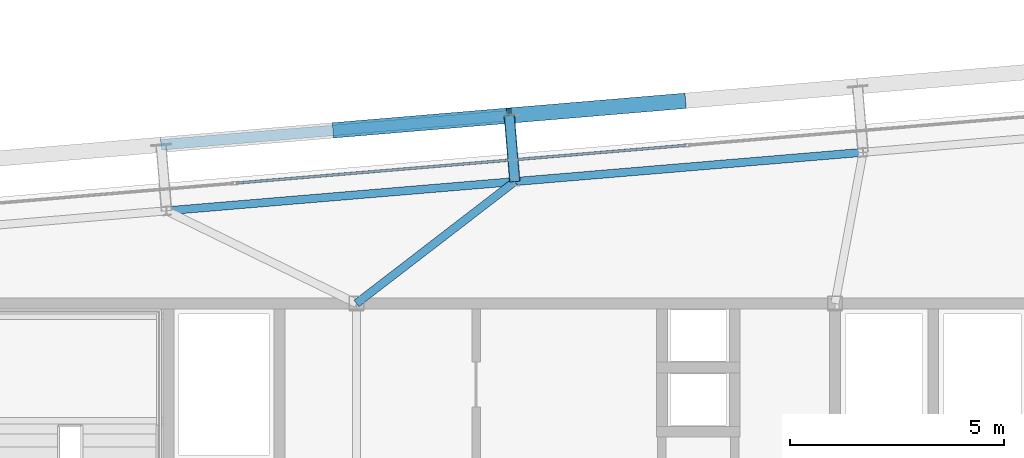
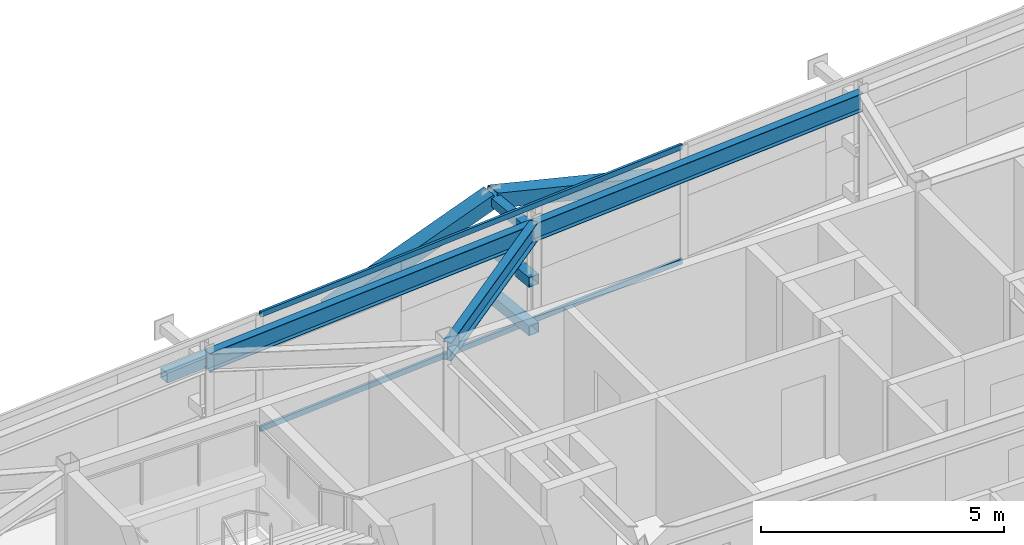
# One storey, part 22 of 37: 8 members, 3 beams, 1 element without a shape of its own.
"""IFC4 building model written with IfcOpenShell, lengths in metres."""

from ifc_helpers import new_model, si_unit, direction, frame, origin, origin_2d, place, context, subcontext, project, spatial, hollow_rectangle, i_section, extrude, source, transform, mapped, material, layer, layer_set, material_profile, profile_set, type_object, element, aggregate, save


model = new_model("IFC4")

# Units and contexts
model_context = context("Model", 3, precision=1e-05, world=origin(), true_north=direction((0.0, 1.0)))
body_context = subcontext(model_context, "Body", "Model", "MODEL_VIEW")
ifc_project = project(units=[si_unit("LENGTHUNIT", "METRE"), si_unit("AREAUNIT", "SQUARE_METRE"), si_unit("VOLUMEUNIT", "CUBIC_METRE"), si_unit("PLANEANGLEUNIT", "RADIAN"), si_unit("MASSUNIT", "GRAM", prefix="KILO")], contexts=[model_context])

# Site, building, storey
site_placement = place(None, origin())
site = spatial("IfcSite", under=ifc_project, at=site_placement, CompositionType="ELEMENT")
building_placement = place(site_placement, origin())
building = spatial("IfcBuilding", under=site, at=building_placement, Name="Taldren Reach Tower", CompositionType="ELEMENT")
storey_placement = place(building_placement, frame((0.0, 0.0, 182.0)))
storey = spatial("IfcBuildingStorey", under=building, at=storey_placement, Name="L55", CompositionType="ELEMENT", Elevation=182.0)

# Members
ifc_material_1 = material(Name="Steel Gr 350 (C350L0)", Category="steel")
ifc_material_profile_1 = material_profile(ifc_material_1, hollow_rectangle(XDim=0.25, YDim=0.25, WallThickness=0.010009765625, at=origin_2d()), Name="250x250x10.0SHS")
ifc_profile_set_1 = profile_set([ifc_material_profile_1], Name="Steel Gr 350 (C350L0)")
member_type_1 = type_object("IfcMemberType", Name="MB-POST250", PredefinedType="POST", material=ifc_profile_set_1)
shared_shape_1 = source(origin(), body_context, "Body", "SweptSolid", [
    extrude(hollow_rectangle(XDim=0.25, YDim=0.25, WallThickness=0.010009765625, at=origin_2d()), origin(), (0.0, 0.0, 1.0), 1.5498046875),
])
for number, where, z_axis, x_axis, name in (
    (1, (31.706298828125, 34.8525390625, 0.219970703125), (-0.083645141657, 0.996495604746, 0.0), (-0.996495604746, -0.083645141657, 0.0), "Exoskeleton base diaphragm tie strut B4-N3 L55"),
    (2, (31.706298828125, 34.8525390625, 1.43505859375), (-0.083645141657, 0.996495604746, 0.0), (-0.996495604746, -0.083645141657, 0.0), "Exoskeleton mid-tier diaphragm tie B4-N3 L55"),
):
    element("IfcMember", number, at=place(storey_placement, frame(where, z_axis=z_axis, x_axis=x_axis)), inside=storey, type_object=member_type_1, Name=name, PredefinedType="POST", context=body_context, shape_type="MappedRepresentation", body=[
        mapped(shared_shape_1, transform((0.0, 0.0, 0.0), scale=1.0)),
    ])

# Beams
ifc_material_2 = material(Name="Steel Gr 350 (350PLUS)", Category="steel")
ifc_material_profile_2 = material_profile(ifc_material_2, i_section(OverallWidth=0.18994140625, OverallDepth=0.4541015625, WebThickness=0.008544921875, FlangeThickness=0.0126953125, at=origin_2d()), Name="460UB67.1")
ifc_profile_set_2 = profile_set([ifc_material_profile_2], Name="Steel Gr 350 (350PLUS)")
beam_type_1 = type_object("IfcBeamType", Name="SP-UB460B", PredefinedType="SPANDREL", material=ifc_profile_set_2)
shared_shape_2 = source(origin(), body_context, "Body", "SweptSolid", [
    extrude(i_section(OverallWidth=0.18994140625, OverallDepth=0.4541015625, WebThickness=0.008544921875, FlangeThickness=0.0126953125, at=origin_2d()), origin(), (0.0, 0.0, 1.0), 8.18017578125),
])
beam_1_placement = place(storey_placement, frame((39.857666015625, 35.537109375, 2.702880859375), z_axis=(-0.996492034688, -0.083687662192, 0.0), x_axis=(0.083687662192, -0.996492034688, 0.0)))
element("IfcBeam", 3, at=beam_1_placement, inside=storey, type_object=beam_type_1, Name="Perimeter spandrel B4 N4-N3 L55", PredefinedType="SPANDREL", context=body_context, shape_type="MappedRepresentation", body=[
    mapped(shared_shape_2, transform((0.0, 0.0, 0.0), scale=1.0)),
])
shared_shape_3 = source(origin(), body_context, "Body", "SweptSolid", [
    extrude(i_section(OverallWidth=0.18994140625, OverallDepth=0.4541015625, WebThickness=0.008544921875, FlangeThickness=0.0126953125, at=origin_2d()), origin(), (0.0, 0.0, 1.0), 8.179931640625),
])
beam_2_placement = place(storey_placement, frame((31.706298828125, 34.8525390625, 2.702880859375), z_axis=(-0.99649182565, -0.08369015123, 0.0), x_axis=(0.08369015123, -0.99649182565, 0.0)))
element("IfcBeam", 4, at=beam_2_placement, inside=storey, type_object=beam_type_1, Name="Perimeter spandrel B4 N3-N2 L55", PredefinedType="SPANDREL", context=body_context, shape_type="MappedRepresentation", body=[
    mapped(shared_shape_3, transform((0.0, 0.0, 0.0), scale=1.0)),
])
ifc_material_profile_3 = material_profile(ifc_material_2, i_section(OverallWidth=0.19091796875, OverallDepth=0.4599609375, WebThickness=0.010009765625, FlangeThickness=0.01611328125, at=origin_2d()), Name="460UB82.1")
ifc_profile_set_3 = profile_set([ifc_material_profile_3], Name="Steel Gr 350 (350PLUS)")
beam_type_2 = type_object("IfcBeamType", Name="BM-UB460A", PredefinedType="BEAM", material=ifc_profile_set_3)
shared_shape_4 = source(origin(), body_context, "Body", "SweptSolid", [
    extrude(i_section(OverallWidth=0.19091796875, OverallDepth=0.4599609375, WebThickness=0.010009765625, FlangeThickness=0.01611328125, at=origin_2d()), origin(), (0.0, 0.0, 1.0), 4.677001953125),
])
beam_3_placement = place(storey_placement, frame((28.0, 32.0, 2.699951171875), z_axis=(0.792464836093, 0.609917603907, 0.0), x_axis=(-0.609917603907, 0.792464836093, 0.0)))
element("IfcBeam", 5, at=beam_3_placement, inside=storey, type_object=beam_type_2, Name="Primary floor girder B4-N3 L55", PredefinedType="BEAM", context=body_context, shape_type="MappedRepresentation", body=[
    mapped(shared_shape_4, transform((0.0, 0.0, 0.0), scale=1.0)),
])

# Members
ifc_material_3 = material(Name="Steel Gr 450 (C450L0)", Category="steel")
ifc_material_profile_4 = material_profile(ifc_material_3, hollow_rectangle(XDim=0.219970703125, YDim=0.219970703125, WallThickness=0.00830078125, at=origin_2d()), Name="220x220x8.2SHS")
ifc_profile_set_4 = profile_set([ifc_material_profile_4], Name="Steel Gr 450 (C450L0)")
member_type_2 = type_object("IfcMemberType", Name="MB-TIE219", PredefinedType="STRUT", material=ifc_profile_set_4)
shared_shape_5 = source(origin(), body_context, "Body", "SweptSolid", [
    extrude(hollow_rectangle(XDim=0.219970703125, YDim=0.219970703125, WallThickness=0.00830078125, at=origin_2d()), origin(), (0.0, 0.0, 1.0), 1.5498046875),
])
member_1_placement = place(storey_placement, frame((31.706298828125, 34.8525390625, 2.64990234375), z_axis=(-0.083645141657, 0.996495604746, 0.0), x_axis=(-0.996495604746, -0.083645141657, 0.0)))
element("IfcMember", 6, at=member_1_placement, inside=storey, type_object=member_type_2, Name="Exoskeleton diaphragm tie strut B4-N3 L55", PredefinedType="STRUT", context=body_context, shape_type="MappedRepresentation", body=[
    mapped(shared_shape_5, transform((0.0, 0.0, 0.0), scale=1.0)),
])
shared_shape_6 = source(origin(), body_context, "Body", "SweptSolid", [
    extrude(hollow_rectangle(XDim=0.25, YDim=0.25, WallThickness=0.010009765625, at=origin_2d()), origin(), (0.0, 0.0, 1.0), 8.179931640625),
])
member_2_placement = place(storey_placement, frame((23.42529296875, 35.712646484375, 1.43505859375), z_axis=(0.996494523218, 0.083658025296, 0.0), x_axis=(-0.083658025296, 0.996494523218, 0.0)))
element("IfcMember", 7, at=member_2_placement, inside=storey, type_object=member_type_1, Name="Exoskeleton mid-height ring chord B4-N2 L55", PredefinedType="POST", context=body_context, shape_type="MappedRepresentation", body=[
    mapped(shared_shape_6, transform((0.0, 0.0, 0.0), scale=1.0)),
])
ifc_material_profile_5 = material_profile(ifc_material_3, hollow_rectangle(XDim=0.360107421875, YDim=0.360107421875, WallThickness=0.0126953125, at=origin_2d()), Name="360x360x12.7SHS")
ifc_profile_set_5 = profile_set([ifc_material_profile_5], Name="Steel Gr 450 (C450L0)")
member_type_3 = type_object("IfcMemberType", Name="MB-EXO356", PredefinedType="BRACE", material=ifc_profile_set_5)
shared_shape_7 = source(origin(), body_context, "Body", "SweptSolid", [
    extrude(hollow_rectangle(XDim=0.360107421875, YDim=0.360107421875, WallThickness=0.0126953125, at=origin_2d()), origin(), (0.0, 0.0, 1.0), 4.2666015625),
])
for number, where, z_axis, x_axis, name in (
    (8, (27.5009765625, 36.054931640625, 1.43505859375), (0.955249107127, 0.080166766448, 0.284732212595), (-0.083628388178, 0.996497010879, 0.0), "Exoskeleton Diagrid Brace B4-N2 L55"),
    (9, (35.65234375, 36.7392578125, 1.43505859375), (-0.955244723646, -0.080223619417, 0.284730906006), (0.083687662192, -0.996492034688, 0.0), "Exoskeleton Diagrid Brace B4-N3 L55"),
):
    element("IfcMember", number, at=place(storey_placement, frame(where, z_axis=z_axis, x_axis=x_axis)), inside=storey, type_object=member_type_3, Name=name, PredefinedType="BRACE", context=body_context, shape_type="MappedRepresentation", body=[
        mapped(shared_shape_7, transform((0.0, 0.0, 0.0), scale=1.0)),
    ])

# Curtain wall, members
ifc_material_4 = material(Name="Aluminium and Low-E Glass Unitised System", Category="aluminium")
ifc_layer = layer(ifc_material_4, 0.159912109375)
ifc_layer_set = layer_set([ifc_layer], Name="Aluminium and Low-E Glass Unitised System")
curtain_wall_type = type_object("IfcCurtainWallType", Name="CW-SYS-5", PredefinedType="NOTDEFINED", material=ifc_layer_set)
curtain_wall_placement = place(storey_placement, origin())
curtain_wall = element("IfcCurtainWall", 10, at=curtain_wall_placement, inside=storey, type_object=curtain_wall_type, Name="Unitised curtain wall CW-L55-N", PredefinedType="NOTDEFINED")
ifc_material_5 = material(Name="Anodised Aluminium 6063-T6", Category="aluminium")
ifc_material_profile_6 = material_profile(ifc_material_5, hollow_rectangle(XDim=0.06005859375, YDim=0.135009765625, WallThickness=0.00341796875, at=origin_2d()), Name="ALU-135x60x3.5RHS")
ifc_profile_set_6 = profile_set([ifc_material_profile_6], Name="Anodised Aluminium 6063-T6")
member_type_4 = type_object("IfcMemberType", Name="CW-TRN-150", PredefinedType="USERDEFINED", material=ifc_profile_set_6)
shared_shape_8 = source(origin(), body_context, "Body", "SweptSolid", [
    extrude(hollow_rectangle(XDim=0.06005859375, YDim=0.135009765625, WallThickness=0.00341796875, at=origin_2d()), origin(), (0.0, 0.0, 1.0), 10.55517578125),
])
member_3_placement = place(storey_placement, frame((35.70458984375, 35.699951171875, 0.030029296875), z_axis=(-0.996494202684, -0.083661843255, 0.0), x_axis=(0.083661843255, -0.996494202684, 0.0)))
member_3 = element("IfcMember", 11, at=member_3_placement, type_object=member_type_4, Name="CW-5 transom 3.1", ObjectType="TRANSOM", PredefinedType="USERDEFINED", context=body_context, shape_type="MappedRepresentation", body=[
    mapped(shared_shape_8, transform((0.0, 0.0, 0.0), scale=1.0)),
])
member_4_placement = place(storey_placement, frame((35.70458984375, 35.699951171875, 2.89990234375), z_axis=(-0.996494202684, -0.083661843255, 0.0), x_axis=(0.083661843255, -0.996494202684, 0.0)))
member_4 = element("IfcMember", 12, at=member_4_placement, type_object=member_type_4, Name="CW-5 transom 3.2", ObjectType="TRANSOM", PredefinedType="USERDEFINED", context=body_context, shape_type="MappedRepresentation", body=[
    mapped(shared_shape_8, transform((0.0, 0.0, 0.0), scale=1.0)),
])
aggregate(curtain_wall, [member_3, member_4])

save(model, "model.ifc")
